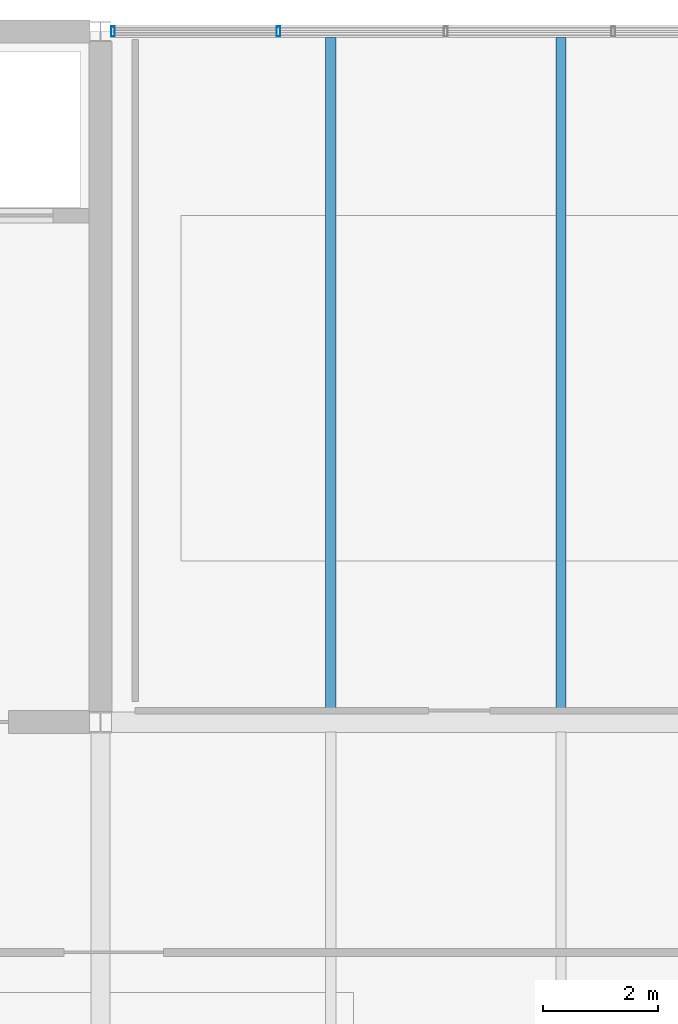
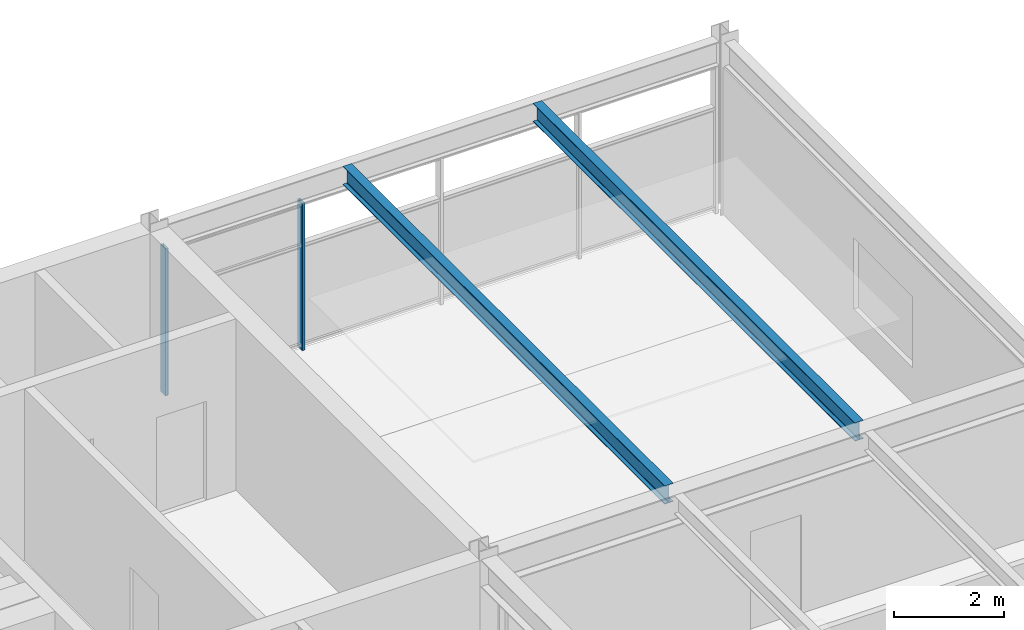
# One storey, part 32 of 40: 2 beams, 2 members, 1 element without a shape of its own.
"""IFC4 building model written with IfcOpenShell, lengths in metres."""

from ifc_helpers import new_model, si_unit, direction, frame, origin, origin_2d, place, context, subcontext, project, spatial, hollow_rectangle, i_section, extrude, material, material_profile, profile_set, type_object, element, aggregate, save


model = new_model("IFC4")

# Units and contexts
model_context = context("Model", 3, precision=1e-05, world=origin(), true_north=direction((0.0, 1.0)))
body_context = subcontext(model_context, "Body", "Model", "MODEL_VIEW")
ifc_project = project(units=[si_unit("LENGTHUNIT", "METRE"), si_unit("AREAUNIT", "SQUARE_METRE"), si_unit("VOLUMEUNIT", "CUBIC_METRE"), si_unit("PLANEANGLEUNIT", "RADIAN"), si_unit("MASSUNIT", "GRAM", prefix="KILO")], contexts=[model_context])

# Site, building, storey
site_placement = place(None, origin())
site = spatial("IfcSite", under=ifc_project, at=site_placement, CompositionType="ELEMENT")
building_placement = place(site_placement, origin())
building = spatial("IfcBuilding", under=site, at=building_placement, Name="Girod Span Mobility Hub", CompositionType="ELEMENT")
storey_placement = place(building_placement, frame((0.0, 0.0, 53.60009765625)))
storey = spatial("IfcBuildingStorey", under=building, at=storey_placement, Name="L13", CompositionType="ELEMENT", Elevation=53.60009765625)

# Beams
ifc_material_1 = material(Name="Steel A992 Grade 50", Category="steel")
ifc_material_profile_1 = material_profile(ifc_material_1, i_section(OverallWidth=0.178955078125, OverallDepth=0.409912109375, WebThickness=0.0087890625, FlangeThickness=0.014404296875, FilletRadius=0.012939453125, at=origin_2d()), Name="W16X45")
ifc_profile_set_1 = profile_set([ifc_material_profile_1], Name="Steel A992 Grade 50")
beam_type = type_object("IfcBeamType", Name="BM-STL-W16X45", PredefinedType="BEAM", material=ifc_profile_set_1)
for number, where, z_axis, x_axis, name in (
    (1, (124.0, 57.174560546875, 3.60986328125), (0.0, 1.0, 0.0), (-1.0, 0.0, 0.0), "Composite Floorbeam 11/E-1 L13"),
    (2, (128.0, 57.174560546875, 3.60986328125), (0.0, 1.0, 0.0), (-1.0, 0.0, 0.0), "Composite Floorbeam 11/E-2 L13"),
):
    element("IfcBeam", number, at=place(storey_placement, frame(where, z_axis=z_axis, x_axis=x_axis)), inside=storey, type_object=beam_type, Name=name, PredefinedType="BEAM", context=body_context, shape_type="SweptSolid", body=[
        extrude(i_section(OverallWidth=0.178955078125, OverallDepth=0.409912109375, WebThickness=0.0087890625, FlangeThickness=0.014404296875, FilletRadius=0.012939453125, at=origin_2d()), origin(), (0.0, 0.0, 1.0), 11.722412109375),
    ])

# Curtain wall, members
ifc_material_2 = material(Name="Thermally Broken Anodised Aluminium", Category="aluminium")
curtain_wall_type = type_object("IfcCurtainWallType", Name="CW-1164X327", PredefinedType="USERDEFINED", material=ifc_material_2)
curtain_wall_placement = place(storey_placement, origin())
curtain_wall = element("IfcCurtainWall", 3, at=curtain_wall_placement, inside=storey, type_object=curtain_wall_type, Name="Unitised Curtain Wall CW-L13-N11 L13", ObjectType="UNITISED CURTAIN WALL", PredefinedType="USERDEFINED")
ifc_material_3 = material(Name="Thermally Broken Anodised Aluminium", Category="aluminium")
ifc_material_profile_2 = material_profile(ifc_material_3, hollow_rectangle(XDim=0.179931640625, YDim=0.06494140625, WallThickness=0.00390625, InnerFilletRadius=0.00390625, OuterFilletRadius=0.008056640625, at=origin_2d()), Name="CW-ML-65X180")
ifc_profile_set_2 = profile_set([ifc_material_profile_2], Name="Thermally Broken Anodised Aluminium")
member_type = type_object("IfcMemberType", Name="CWM-ML-2", PredefinedType="MULLION", material=ifc_profile_set_2)
member_1_placement = place(storey_placement, frame((120.214599609375, 69.0, 0.0), z_axis=(0.0, 0.0, 1.0), x_axis=(0.0, 1.0, 0.0)))
member_1 = element("IfcMember", 4, at=member_1_placement, type_object=member_type, Name="Curtain Wall Mullion CW-L13-N11-M0", PredefinedType="MULLION", context=body_context, shape_type="SweptSolid", body=[
    extrude(hollow_rectangle(XDim=0.179931640625, YDim=0.06494140625, WallThickness=0.00390625, InnerFilletRadius=0.00390625, OuterFilletRadius=0.008056640625, at=origin_2d()), origin(), (0.0, 0.0, 1.0), 3.27099609375),
])
member_2_placement = place(storey_placement, frame((123.09130859375, 69.0, 0.0), z_axis=(0.0, 0.0, 1.0), x_axis=(0.0, 1.0, 0.0)))
member_2 = element("IfcMember", 5, at=member_2_placement, type_object=member_type, Name="Curtain Wall Mullion CW-L13-N11-M1", PredefinedType="MULLION", context=body_context, shape_type="SweptSolid", body=[
    extrude(hollow_rectangle(XDim=0.179931640625, YDim=0.06494140625, WallThickness=0.00390625, InnerFilletRadius=0.00390625, OuterFilletRadius=0.008056640625, at=origin_2d()), origin(), (0.0, 0.0, 1.0), 3.27099609375),
])
aggregate(curtain_wall, [member_1, member_2])

save(model, "model.ifc")
